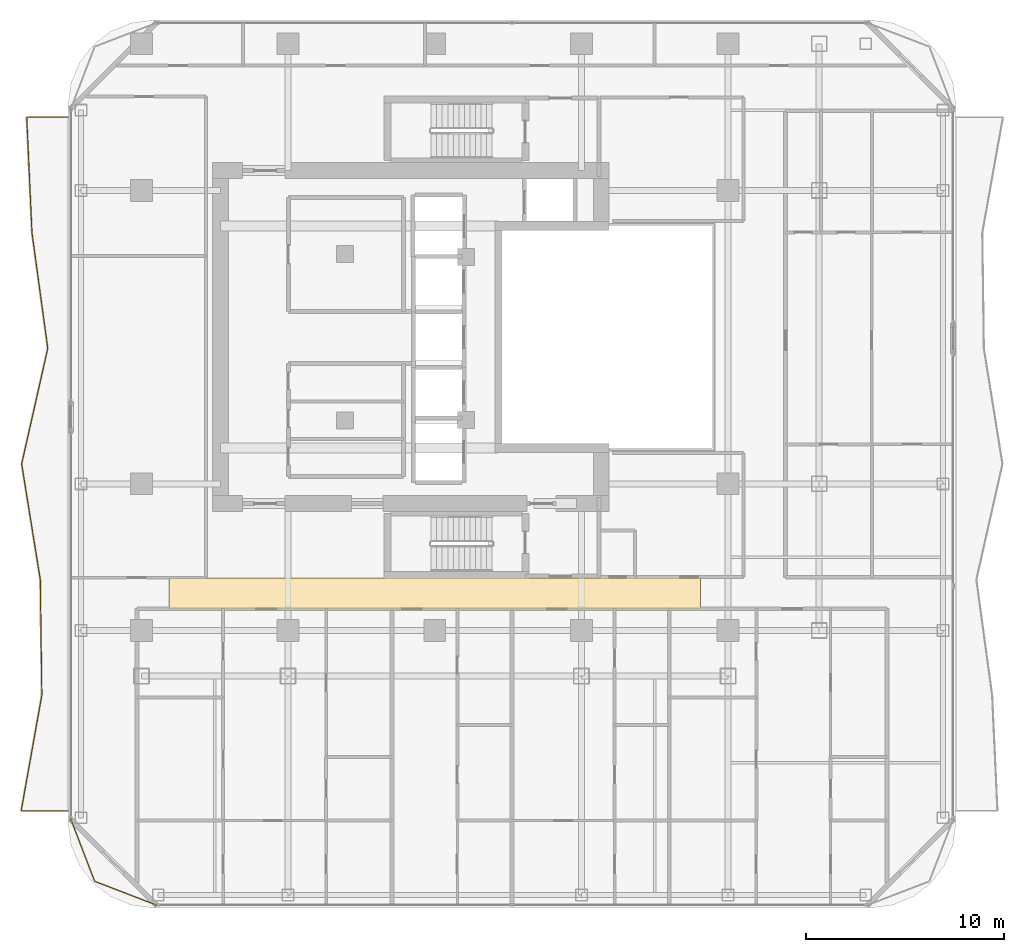
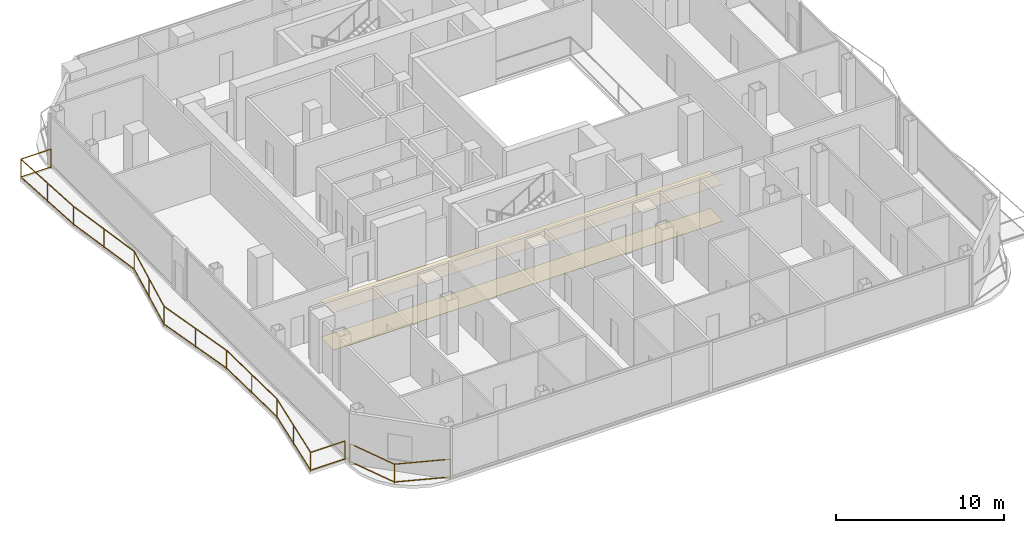
# One storey, part 24 of 26: 2 coverings, 2 railings.
"""IFC4 building model written with IfcOpenShell, lengths in metres."""

from ifc_helpers import new_model, si_unit, direction, frame, origin, origin_2d, place, context, subcontext, project, spatial, polyline, rectangle, outline, extrude, material, layer, layer_set, type_object, element, save


model = new_model("IFC4")

# Units and contexts
model_context = context("Model", 3, precision=1e-05, world=origin(), true_north=direction((0.0, 1.0)))
body_context = subcontext(model_context, "Body", "Model", "MODEL_VIEW")
ifc_project = project(units=[si_unit("LENGTHUNIT", "METRE"), si_unit("AREAUNIT", "SQUARE_METRE"), si_unit("VOLUMEUNIT", "CUBIC_METRE"), si_unit("PLANEANGLEUNIT", "RADIAN"), si_unit("MASSUNIT", "GRAM", prefix="KILO")], contexts=[model_context])

# Site, building, storey
site_placement = place(None, origin())
site = spatial("IfcSite", under=ifc_project, at=site_placement, CompositionType="ELEMENT")
building_placement = place(site_placement, origin())
building = spatial("IfcBuilding", under=site, at=building_placement, Name="Khorvyn Point Tower", CompositionType="ELEMENT")
storey_placement = place(building_placement, frame((0.0, 0.0, 223.5)))
storey = spatial("IfcBuildingStorey", under=building, at=storey_placement, Name="L55", CompositionType="ELEMENT", Elevation=223.5)

# Railings
ifc_material_1 = material(Name="Anodised aluminium 6063-T6 and laminated safety glass", Category="aluminium")
railing_type = type_object("IfcRailingType", Name="Laminated Glass and Aluminium Balcony Guardrail 1400", PredefinedType="BALUSTRADE", material=ifc_material_1)
railing_1_placement = place(storey_placement, frame((-18.374267578125, -24.28125, 0.0)))
element("IfcRailing", 1, at=railing_1_placement, inside=storey, type_object=railing_type, Name="L55 Rounded Corner Edge Guardrail SW", PredefinedType="BALUSTRADE", context=body_context, shape_type="SweptSolid", body=[
    extrude(rectangle(XDim=0.048095703125, YDim=0.048095703125, at=origin_2d()), frame((0.0, 0.0, 1.3759765625), z_axis=(0.358343916815, -0.933589651443, 0.0), x_axis=(0.933589651443, 0.358343916815, 0.0)), (0.0, 0.0, 1.0), 3.400390625),
    extrude(rectangle(XDim=0.048095703125, YDim=0.048095703125, at=origin_2d()), frame((0.0, 0.0, 0.080078125), z_axis=(0.358343916815, -0.933589651443, 0.0), x_axis=(0.933589651443, 0.358343916815, 0.0)), (0.0, 0.0, 1.0), 3.400390625),
    extrude(rectangle(XDim=0.048095703125, YDim=0.048095703125, at=origin_2d()), frame((1.218505859375, -3.174560546875, 1.3759765625), z_axis=(0.933589651443, -0.358343916815, 0.0), x_axis=(0.358343916815, 0.933589651443, 0.0)), (0.0, 0.0, 1.0), 3.400390625),
    extrude(rectangle(XDim=0.048095703125, YDim=0.048095703125, at=origin_2d()), frame((1.218505859375, -3.174560546875, 0.080078125), z_axis=(0.933589651443, -0.358343916815, 0.0), x_axis=(0.358343916815, 0.933589651443, 0.0)), (0.0, 0.0, 1.0), 3.400390625),
    extrude(rectangle(XDim=0.0419921875, YDim=0.0419921875, at=origin_2d()), origin(), (0.0, 0.0, 1.0), 1.351806640625),
    extrude(rectangle(XDim=0.0419921875, YDim=0.0419921875, at=origin_2d()), frame((1.218505859375, -3.174560546875, 0.0)), (0.0, 0.0, 1.0), 1.351806640625),
    extrude(rectangle(XDim=0.0419921875, YDim=0.0419921875, at=origin_2d()), frame((4.39306640625, -4.39306640625, 0.0)), (0.0, 0.0, 1.0), 1.351806640625),
])
railing_2_placement = place(storey_placement, frame((-18.5, 11.10009765625, 0.0)))
element("IfcRailing", 2, at=railing_2_placement, inside=storey, type_object=railing_type, Name="L55 West Balcony Guardrail", PredefinedType="BALUSTRADE", context=body_context, shape_type="SweptSolid", body=[
    extrude(rectangle(XDim=0.048095703125, YDim=0.048095703125, at=origin_2d()), frame((0.0, 0.0, 1.3759765625), z_axis=(-1.0, 0.0, 0.0), x_axis=(0.0, -1.0, 0.0)), (0.0, 0.0, 1.0), 2.08349609375),
    extrude(rectangle(XDim=0.048095703125, YDim=0.048095703125, at=origin_2d()), frame((0.0, 0.0, 0.080078125), z_axis=(-1.0, 0.0, 0.0), x_axis=(0.0, -1.0, 0.0)), (0.0, 0.0, 1.0), 2.08349609375),
    extrude(rectangle(XDim=0.048095703125, YDim=0.048095703125, at=origin_2d()), frame((-2.08349609375, 0.0, 1.3759765625), z_axis=(0.045570754739, -0.998961113514, 0.0), x_axis=(0.998961113514, 0.045570754739, 0.0)), (0.0, 0.0, 1.0), 5.839599609375),
    extrude(rectangle(XDim=0.048095703125, YDim=0.048095703125, at=origin_2d()), frame((-2.08349609375, 0.0, 0.080078125), z_axis=(0.045570754739, -0.998961113514, 0.0), x_axis=(0.998961113514, 0.045570754739, 0.0)), (0.0, 0.0, 1.0), 5.839599609375),
    extrude(rectangle(XDim=0.048095703125, YDim=0.048095703125, at=origin_2d()), frame((-1.8173828125, -5.83349609375, 1.3759765625), z_axis=(0.135351915823, -0.990797587241, 0.0), x_axis=(0.990797587241, 0.135351915823, 0.0)), (0.0, 0.0, 1.0), 5.887451171875),
    extrude(rectangle(XDim=0.048095703125, YDim=0.048095703125, at=origin_2d()), frame((-1.8173828125, -5.83349609375, 0.080078125), z_axis=(0.135351915823, -0.990797587241, 0.0), x_axis=(0.990797587241, 0.135351915823, 0.0)), (0.0, 0.0, 1.0), 5.887451171875),
    extrude(rectangle(XDim=0.048095703125, YDim=0.048095703125, at=origin_2d()), frame((-1.0205078125, -11.666748046875, 1.3759765625), z_axis=(-0.220253353076, -0.975442699731, 0.0), x_axis=(0.975442699731, -0.220253353076, 0.0)), (0.0, 0.0, 1.0), 5.980224609375),
    extrude(rectangle(XDim=0.048095703125, YDim=0.048095703125, at=origin_2d()), frame((-1.0205078125, -11.666748046875, 0.080078125), z_axis=(-0.220253353076, -0.975442699731, 0.0), x_axis=(0.975442699731, -0.220253353076, 0.0)), (0.0, 0.0, 1.0), 5.980224609375),
    extrude(rectangle(XDim=0.048095703125, YDim=0.048095703125, at=origin_2d()), frame((-2.337646484375, -17.5, 1.3759765625), z_axis=(0.15907654928, -0.98726625156, 0.0), x_axis=(0.98726625156, 0.15907654928, 0.0)), (0.0, 0.0, 1.0), 5.90869140625),
    extrude(rectangle(XDim=0.048095703125, YDim=0.048095703125, at=origin_2d()), frame((-2.337646484375, -17.5, 0.080078125), z_axis=(0.15907654928, -0.98726625156, 0.0), x_axis=(0.98726625156, 0.15907654928, 0.0)), (0.0, 0.0, 1.0), 5.90869140625),
    extrude(rectangle(XDim=0.048095703125, YDim=0.048095703125, at=origin_2d()), frame((-1.397705078125, -23.33349609375, 1.3759765625), z_axis=(0.013350000931, -0.999910884767, 0.0), x_axis=(0.999910884767, 0.013350000931, 0.0)), (0.0, 0.0, 1.0), 5.833740234375),
    extrude(rectangle(XDim=0.048095703125, YDim=0.048095703125, at=origin_2d()), frame((-1.397705078125, -23.33349609375, 0.080078125), z_axis=(0.013350000931, -0.999910884767, 0.0), x_axis=(0.999910884767, 0.013350000931, 0.0)), (0.0, 0.0, 1.0), 5.833740234375),
    extrude(rectangle(XDim=0.048095703125, YDim=0.048095703125, at=origin_2d()), frame((-1.31982421875, -29.166748046875, 1.3759765625), z_axis=(-0.175966029351, -0.984396239588, 0.0), x_axis=(0.984396239588, -0.175966029351, 0.0)), (0.0, 0.0, 1.0), 5.92578125),
    extrude(rectangle(XDim=0.048095703125, YDim=0.048095703125, at=origin_2d()), frame((-1.31982421875, -29.166748046875, 0.080078125), z_axis=(-0.175966029351, -0.984396239588, 0.0), x_axis=(0.984396239588, -0.175966029351, 0.0)), (0.0, 0.0, 1.0), 5.92578125),
    extrude(rectangle(XDim=0.048095703125, YDim=0.048095703125, at=origin_2d()), frame((-2.362548828125, -35.0, 1.3759765625), z_axis=(1.0, 0.0, 0.0), x_axis=(0.0, 1.0, 0.0)), (0.0, 0.0, 1.0), 2.362548828125),
    extrude(rectangle(XDim=0.048095703125, YDim=0.048095703125, at=origin_2d()), frame((-2.362548828125, -35.0, 0.080078125), z_axis=(1.0, 0.0, 0.0), x_axis=(0.0, 1.0, 0.0)), (0.0, 0.0, 1.0), 2.362548828125),
    extrude(rectangle(XDim=0.0419921875, YDim=0.0419921875, at=origin_2d()), origin(), (0.0, 0.0, 1.0), 1.351806640625),
    extrude(rectangle(XDim=0.0419921875, YDim=0.0419921875, at=origin_2d()), frame((-2.08349609375, 0.0, 0.0)), (0.0, 0.0, 1.0), 1.351806640625),
    extrude(rectangle(XDim=0.0419921875, YDim=0.0419921875, at=origin_2d()), frame((-1.950439453125, -2.916748046875, 0.0)), (0.0, 0.0, 1.0), 1.351806640625),
    extrude(rectangle(XDim=0.0419921875, YDim=0.0419921875, at=origin_2d()), frame((-1.8173828125, -5.83349609375, 0.0)), (0.0, 0.0, 1.0), 1.351806640625),
    extrude(rectangle(XDim=0.0419921875, YDim=0.0419921875, at=origin_2d()), frame((-1.4189453125, -8.75, 0.0)), (0.0, 0.0, 1.0), 1.351806640625),
    extrude(rectangle(XDim=0.0419921875, YDim=0.0419921875, at=origin_2d()), frame((-1.0205078125, -11.666748046875, 0.0)), (0.0, 0.0, 1.0), 1.351806640625),
    extrude(rectangle(XDim=0.0419921875, YDim=0.0419921875, at=origin_2d()), frame((-1.67919921875, -14.58349609375, 0.0)), (0.0, 0.0, 1.0), 1.351806640625),
    extrude(rectangle(XDim=0.0419921875, YDim=0.0419921875, at=origin_2d()), frame((-2.337646484375, -17.5, 0.0)), (0.0, 0.0, 1.0), 1.351806640625),
    extrude(rectangle(XDim=0.0419921875, YDim=0.0419921875, at=origin_2d()), frame((-1.86767578125, -20.416748046875, 0.0)), (0.0, 0.0, 1.0), 1.351806640625),
    extrude(rectangle(XDim=0.0419921875, YDim=0.0419921875, at=origin_2d()), frame((-1.397705078125, -23.33349609375, 0.0)), (0.0, 0.0, 1.0), 1.351806640625),
    extrude(rectangle(XDim=0.0419921875, YDim=0.0419921875, at=origin_2d()), frame((-1.35888671875, -26.25, 0.0)), (0.0, 0.0, 1.0), 1.351806640625),
    extrude(rectangle(XDim=0.0419921875, YDim=0.0419921875, at=origin_2d()), frame((-1.31982421875, -29.166748046875, 0.0)), (0.0, 0.0, 1.0), 1.351806640625),
    extrude(rectangle(XDim=0.0419921875, YDim=0.0419921875, at=origin_2d()), frame((-1.84130859375, -32.08349609375, 0.0)), (0.0, 0.0, 1.0), 1.351806640625),
    extrude(rectangle(XDim=0.0419921875, YDim=0.0419921875, at=origin_2d()), frame((-2.362548828125, -35.0, 0.0)), (0.0, 0.0, 1.0), 1.351806640625),
    extrude(rectangle(XDim=0.0419921875, YDim=0.0419921875, at=origin_2d()), frame((0.0, -35.0, 0.0)), (0.0, 0.0, 1.0), 1.351806640625),
])

# Coverings
ifc_material_2 = material(Name="Mineral-fibre acoustic ceiling board", Category="gypsum")
ifc_layer_1 = layer(ifc_material_2, 0.02001953125)
ifc_layer_set_1 = layer_set([ifc_layer_1], Name="Perforated Mineral-Fibre Acoustic Suspended Ceiling 20")
covering_type_1 = type_object("IfcCoveringType", Name="Perforated Mineral-Fibre Acoustic Suspended Ceiling 20", PredefinedType="CEILING", material=ifc_layer_set_1)
covering_1_placement = place(storey_placement, frame((0.0, 0.0, 2.699951171875)))
element("IfcCovering", 3, at=covering_1_placement, inside=storey, type_object=covering_type_1, Name="L55 South Corridor Acoustic Ceiling", PredefinedType="CEILING", context=body_context, shape_type="SweptSolid", body=[
    extrude(outline(polyline([(-13.39990234375, -13.7099609375), (13.39990234375, -13.7099609375), (13.39990234375, -12.139892578125), (-13.39990234375, -12.139892578125), (-13.39990234375, -13.7099609375)])), origin(), (0.0, 0.0, 1.0), 0.02001953125),
])
ifc_material_3 = material(Name="Vitrified porcelain terrazzo tile", Category="ceramic")
ifc_layer_2 = layer(ifc_material_3, 0.01806640625)
ifc_layer_set_2 = layer_set([ifc_layer_2], Name="Porcelain Terrazzo Corridor Floor Finish Tile 18")
covering_type_2 = type_object("IfcCoveringType", Name="Porcelain Terrazzo Corridor Floor Finish Tile 18", PredefinedType="FLOORING", material=ifc_layer_set_2)
covering_2_placement = place(storey_placement, origin())
element("IfcCovering", 4, at=covering_2_placement, inside=storey, type_object=covering_type_2, Name="L55 South Corridor Terrazzo Flooring", PredefinedType="FLOORING", context=body_context, shape_type="SweptSolid", body=[
    extrude(outline(polyline([(-13.39990234375, -13.7099609375), (13.39990234375, -13.7099609375), (13.39990234375, -12.139892578125), (-13.39990234375, -12.139892578125), (-13.39990234375, -13.7099609375)])), origin(), (0.0, 0.0, 1.0), 0.01806640625),
])

save(model, "model.ifc")
